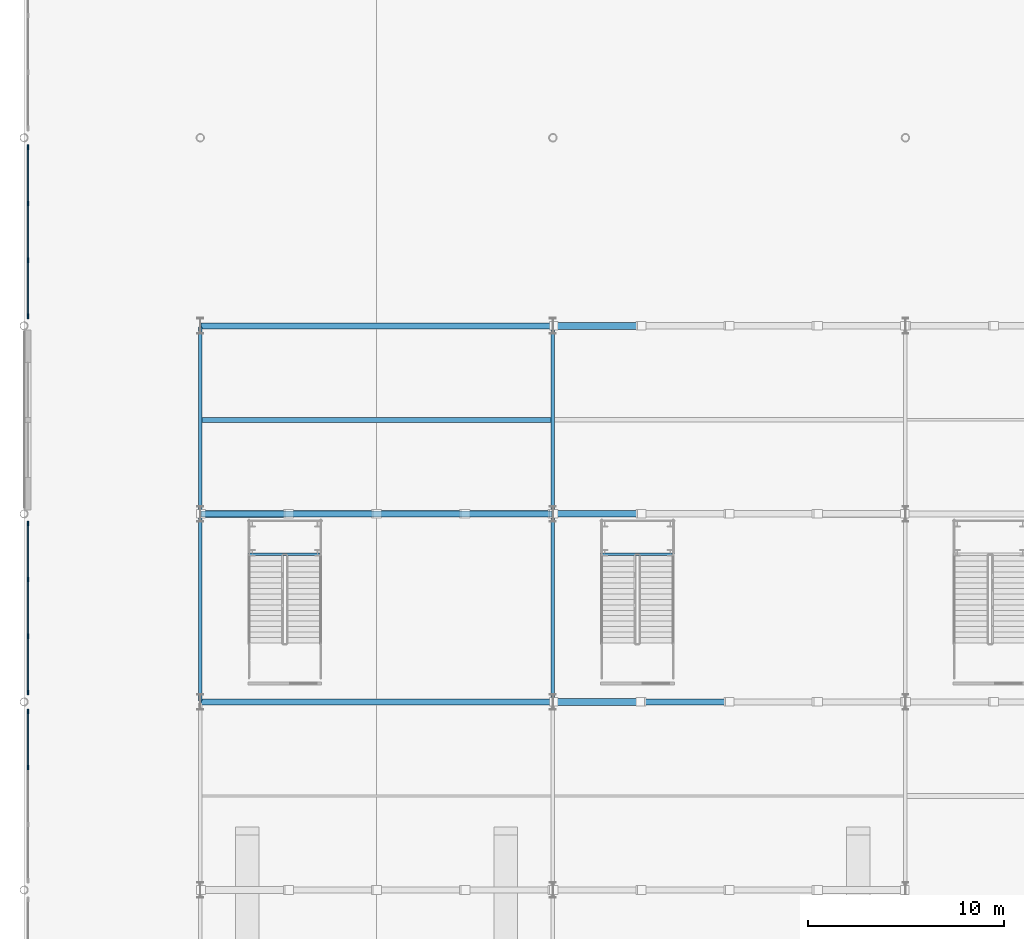
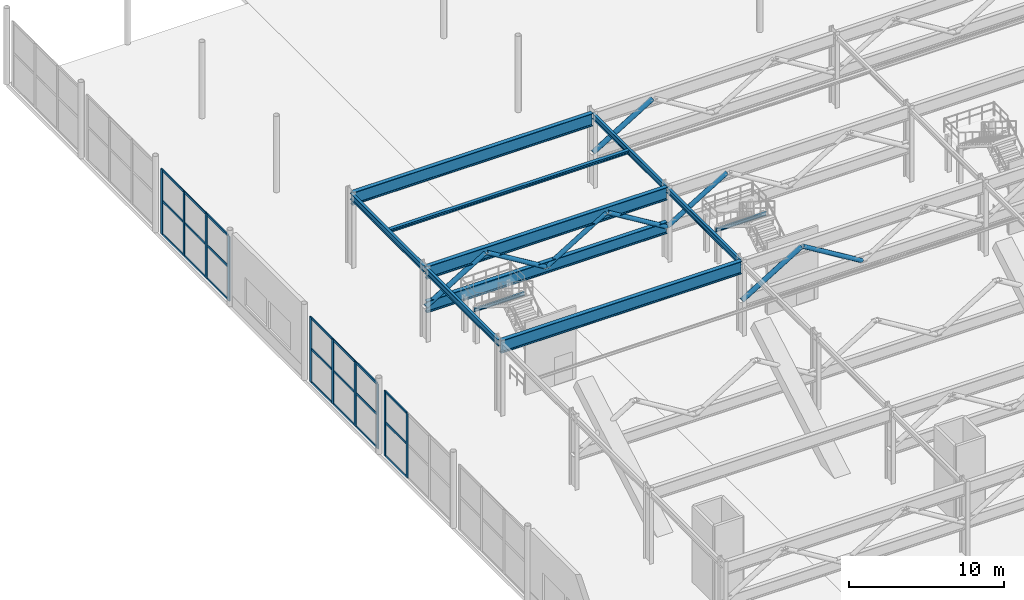
# One storey, part 36 of 113: 40 members, 10 beams, 3 elements without a shape of their own.
"""IFC4 building model written with IfcOpenShell, lengths in metres."""

from ifc_helpers import new_model, si_unit, direction, frame, origin, origin_2d, place, context, subcontext, project, spatial, rectangle, hollow_circle, i_section, extrude, material, layer, layer_set, material_profile, profile_set, type_object, element, aggregate, save


model = new_model("IFC4")

# Units and contexts
model_context = context("Model", 3, precision=1e-05, world=origin(), true_north=direction((0.0, 1.0)))
body_context = subcontext(model_context, "Body", "Model", "MODEL_VIEW")
ifc_project = project(units=[si_unit("LENGTHUNIT", "METRE"), si_unit("AREAUNIT", "SQUARE_METRE"), si_unit("VOLUMEUNIT", "CUBIC_METRE"), si_unit("PLANEANGLEUNIT", "RADIAN"), si_unit("MASSUNIT", "GRAM", prefix="KILO")], contexts=[model_context])

# Site, building, storey
site_placement = place(None, origin())
site = spatial("IfcSite", under=ifc_project, at=site_placement, CompositionType="ELEMENT")
building_placement = place(site_placement, origin())
building = spatial("IfcBuilding", under=site, at=building_placement, Name="Myrtia Square Station", CompositionType="ELEMENT")
storey_placement = place(building_placement, origin())
storey = spatial("IfcBuildingStorey", under=building, at=storey_placement, Name="L00", CompositionType="ELEMENT", Elevation=0.0)

# Beams
ifc_material_1 = material(Name="Steel S355", Category="steel")
ifc_material_profile_1 = material_profile(ifc_material_1, i_section(OverallWidth=0.135009765625, OverallDepth=0.27001953125, WebThickness=0.006591796875, FlangeThickness=0.01025390625, FilletRadius=0.014892578125, at=origin_2d()), Name="IPE 270")
ifc_profile_set_1 = profile_set([ifc_material_profile_1], Name="Steel S355")
beam_type_1 = type_object("IfcBeamType", Name="BM-IPE270", PredefinedType="BEAM", material=ifc_profile_set_1)
for number, where, z_axis, x_axis, name in (
    (1, (11.43994140625, 74.739990234375, 2.6650390625), (1.0, 0.0, 0.0), (0.0, 1.0, 0.0), "Interchange stair landing bearer 1"),
    (2, (29.43994140625, 74.739990234375, 2.6650390625), (1.0, 0.0, 0.0), (0.0, 1.0, 0.0), "Interchange stair landing bearer 2"),
):
    element("IfcBeam", number, at=place(storey_placement, frame(where, z_axis=z_axis, x_axis=x_axis)), inside=storey, type_object=beam_type_1, Name=name, PredefinedType="BEAM", context=body_context, shape_type="SweptSolid", body=[
        extrude(i_section(OverallWidth=0.135009765625, OverallDepth=0.27001953125, WebThickness=0.006591796875, FlangeThickness=0.01025390625, FilletRadius=0.014892578125, at=origin_2d()), origin(), (0.0, 0.0, 1.0), 3.760009765625),
    ])
ifc_material_profile_2 = material_profile(ifc_material_1, i_section(OverallWidth=0.18994140625, OverallDepth=0.449951171875, WebThickness=0.009521484375, FlangeThickness=0.0146484375, FilletRadius=0.02099609375, at=origin_2d()), Name="IPE 450")
ifc_profile_set_2 = profile_set([ifc_material_profile_2], Name="Steel S355")
beam_type_2 = type_object("IfcBeamType", Name="BM-IPE450", PredefinedType="BEAM", material=ifc_profile_set_2)
for number, where, z_axis, x_axis, name in (
    (3, (27.0, 67.25, 5.514892578125), (0.0, 1.0, 0.0), (-1.0, 0.0, 0.0), "Structural girder BMY-L00-0265"),
    (4, (27.0, 76.85009765625, 5.514892578125), (0.0, 1.0, 0.0), (-1.0, 0.0, 0.0), "Structural girder BMY-L00-0266"),
):
    element("IfcBeam", number, at=place(storey_placement, frame(where, z_axis=z_axis, x_axis=x_axis)), inside=storey, type_object=beam_type_2, Name=name, PredefinedType="BEAM", context=body_context, shape_type="SweptSolid", body=[
        extrude(i_section(OverallWidth=0.18994140625, OverallDepth=0.449951171875, WebThickness=0.009521484375, FlangeThickness=0.0146484375, FilletRadius=0.02099609375, at=origin_2d()), origin(), (0.0, 0.0, 1.0), 9.5),
    ])
ifc_material_profile_3 = material_profile(ifc_material_1, i_section(OverallWidth=0.199951171875, OverallDepth=0.5, WebThickness=0.01025390625, FlangeThickness=0.01611328125, FilletRadius=0.02099609375, at=origin_2d()), Name="IPE 500")
ifc_profile_set_3 = profile_set([ifc_material_profile_3], Name="Steel S355")
beam_type_3 = type_object("IfcBeamType", Name="BM-IPE500", PredefinedType="BEAM", material=ifc_profile_set_3)
for number, where, z_axis, x_axis, name in (
    (5, (9.0, 67.25, 5.489990234375), (0.0, 1.0, 0.0), (-1.0, 0.0, 0.0), "Structural girder BMY-L00-0260"),
    (6, (9.0, 76.85009765625, 5.489990234375), (0.0, 1.0, 0.0), (-1.0, 0.0, 0.0), "Structural girder BMY-L00-0261"),
):
    element("IfcBeam", number, at=place(storey_placement, frame(where, z_axis=z_axis, x_axis=x_axis)), inside=storey, type_object=beam_type_3, Name=name, PredefinedType="BEAM", context=body_context, shape_type="SweptSolid", body=[
        extrude(i_section(OverallWidth=0.199951171875, OverallDepth=0.5, WebThickness=0.01025390625, FlangeThickness=0.01611328125, FilletRadius=0.02099609375, at=origin_2d()), origin(), (0.0, 0.0, 1.0), 9.5),
    ])

# Members
ifc_material_profile_4 = material_profile(ifc_material_1, hollow_circle(Radius=0.161865234375, WallThickness=0.01611328125, at=origin_2d()), Name="CHS 323.9x16")
ifc_profile_set_4 = profile_set([ifc_material_profile_4], Name="Steel S355")
member_type_1 = type_object("IfcMemberType", Name="BRC-CHS323", PredefinedType="BRACE", material=ifc_profile_set_4)
for number, where, z_axis, x_axis, name in (
    (7, (31.5400390625, 67.199951171875, 5.239990234375), (0.854236821944, 0.0, -0.519884075573), (0.0, 1.0, 0.0), "Over-track transfer truss 04 diagonal 2"),
    (8, (13.5400390625, 76.800048828125, 5.239990234375), (0.854236821944, 0.0, -0.519884075573), (0.0, 1.0, 0.0), "Over-track transfer truss 05 diagonal 2"),
    (9, (18.0400390625, 76.800048828125, 2.550048828125), (0.854236821944, 0.0, 0.519884075573), (0.0, 1.0, 0.0), "Over-track transfer truss 05 diagonal 3"),
    (10, (22.5400390625, 76.800048828125, 5.239990234375), (0.854236821944, 0.0, -0.519884075573), (0.0, 1.0, 0.0), "Over-track transfer truss 05 diagonal 4"),
    (11, (27.0400390625, 76.800048828125, 2.550048828125), (0.854236821944, 0.0, 0.519884075573), (0.0, 1.0, 0.0), "Over-track transfer truss 05 diagonal 5"),
):
    element("IfcMember", number, at=place(storey_placement, frame(where, z_axis=z_axis, x_axis=x_axis)), inside=storey, type_object=member_type_1, Name=name, PredefinedType="BRACE", context=body_context, shape_type="SweptSolid", body=[
        extrude(hollow_circle(Radius=0.161865234375, WallThickness=0.01611328125, at=origin_2d()), origin(), (0.0, 0.0, 1.0), 5.174072265625),
    ])
ifc_material_profile_5 = material_profile(ifc_material_1, hollow_circle(Radius=0.177734375, WallThickness=0.02001953125, at=origin_2d()), Name="CHS 355.6x20")
ifc_profile_set_5 = profile_set([ifc_material_profile_5], Name="Steel S355")
member_type_2 = type_object("IfcMemberType", Name="BRC-CHS355", PredefinedType="BRACE", material=ifc_profile_set_5)
for number, where, z_axis, x_axis, name in (
    (12, (27.0400390625, 67.199951171875, 2.550048828125), (0.854236821944, 0.0, 0.519884075573), (0.0, 1.0, 0.0), "Over-track transfer truss 04 diagonal 1"),
    (13, (9.0400390625, 76.800048828125, 2.550048828125), (0.854236821944, 0.0, 0.519884075573), (0.0, 1.0, 0.0), "Over-track transfer truss 05 diagonal 1"),
    (14, (27.0400390625, 86.39990234375, 2.550048828125), (0.854236821944, 0.0, 0.519884075573), (0.0, 1.0, 0.0), "Over-track transfer truss 06 diagonal 1"),
):
    element("IfcMember", number, at=place(storey_placement, frame(where, z_axis=z_axis, x_axis=x_axis)), inside=storey, type_object=member_type_2, Name=name, PredefinedType="BRACE", context=body_context, shape_type="SweptSolid", body=[
        extrude(hollow_circle(Radius=0.177734375, WallThickness=0.02001953125, at=origin_2d()), origin(), (0.0, 0.0, 1.0), 5.174072265625),
    ])
ifc_material_profile_6 = material_profile(ifc_material_1, i_section(OverallWidth=0.300048828125, OverallDepth=0.89990234375, WebThickness=0.0185546875, FlangeThickness=0.034912109375, FilletRadius=0.030029296875, at=origin_2d()), Name="HEB 900")
ifc_profile_set_6 = profile_set([ifc_material_profile_6], Name="Steel S355")
member_type_3 = type_object("IfcMemberType", Name="CHD-HEB900", PredefinedType="CHORD", material=ifc_profile_set_6)
member_1_placement = place(storey_placement, frame((9.050048828125, 76.800048828125, 2.550048828125), z_axis=(1.0, 0.0, 0.0), x_axis=(0.0, 1.0, 0.0)))
element("IfcMember", 15, at=member_1_placement, inside=storey, type_object=member_type_3, Name="Over-track transfer truss 05 bottom chord 1", PredefinedType="CHORD", context=body_context, shape_type="SweptSolid", body=[
    extrude(i_section(OverallWidth=0.300048828125, OverallDepth=0.89990234375, WebThickness=0.0185546875, FlangeThickness=0.034912109375, FilletRadius=0.030029296875, at=origin_2d()), origin(), (0.0, 0.0, 1.0), 17.89990234375),
])

# Curtain wall, members
ifc_material_2 = material(Name="Dark bronze anodised aluminium", Category="aluminium")
ifc_layer = layer(ifc_material_2, 0.159912109375, Name="Dark bronze anodised aluminium")
ifc_layer_set = layer_set([ifc_layer], Name="Dark bronze anodised aluminium")
curtain_wall_type = type_object("IfcCurtainWallType", Name="CW-TYPE-22-870x510", PredefinedType="USERDEFINED", material=ifc_layer_set)
curtain_wall_1_placement = place(storey_placement, origin())
curtain_wall_1 = element("IfcCurtainWall", 16, at=curtain_wall_1_placement, inside=storey, type_object=curtain_wall_type, Name="Concourse curtain wall CW-L00-077", ObjectType="CONCOURSE CURTAIN WALL", PredefinedType="USERDEFINED")
ifc_material_profile_7 = material_profile(ifc_material_2, rectangle(XDim=0.074951171875, YDim=0.239990234375, at=origin_2d()), Name="ALU-M 75x240")
ifc_profile_set_7 = profile_set([ifc_material_profile_7], Name="Dark bronze anodised aluminium")
member_type_4 = type_object("IfcMemberType", Name="CWM-75x240", PredefinedType="MULLION", material=ifc_profile_set_7)
member_2_placement = place(storey_placement, frame((0.199951171875, 63.85009765625, 0.0), z_axis=(0.0, 0.0, 1.0), x_axis=(-1.0, 0.0, 0.0)))
member_2 = element("IfcMember", 17, at=member_2_placement, type_object=member_type_4, Name="CW-077 mullion 3", PredefinedType="MULLION", context=body_context, shape_type="SweptSolid", body=[
    extrude(rectangle(XDim=0.074951171875, YDim=0.239990234375, at=origin_2d()), origin(), (0.0, 0.0, 1.0), 5.10009765625),
])
member_3_placement = place(storey_placement, frame((0.199951171875, 66.71240234375, 0.0), z_axis=(0.0, 0.0, 1.0), x_axis=(-1.0, 0.0, 0.0)))
member_3 = element("IfcMember", 18, at=member_3_placement, type_object=member_type_4, Name="CW-077 mullion 4", PredefinedType="MULLION", context=body_context, shape_type="SweptSolid", body=[
    extrude(rectangle(XDim=0.074951171875, YDim=0.239990234375, at=origin_2d()), origin(), (0.0, 0.0, 1.0), 5.10009765625),
])

curtain_wall_2_placement = place(storey_placement, origin())
curtain_wall_2 = element("IfcCurtainWall", 19, at=curtain_wall_2_placement, inside=storey, type_object=curtain_wall_type, Name="Concourse curtain wall CW-L00-078", ObjectType="CONCOURSE CURTAIN WALL", PredefinedType="USERDEFINED")
member_4_placement = place(storey_placement, frame((0.199951171875, 67.6875, 0.0), z_axis=(0.0, 0.0, 1.0), x_axis=(-1.0, 0.0, 0.0)))
member_4 = element("IfcMember", 20, at=member_4_placement, type_object=member_type_4, Name="CW-078 mullion 1", PredefinedType="MULLION", context=body_context, shape_type="SweptSolid", body=[
    extrude(rectangle(XDim=0.074951171875, YDim=0.239990234375, at=origin_2d()), origin(), (0.0, 0.0, 1.0), 5.10009765625),
])
member_5_placement = place(storey_placement, frame((0.199951171875, 70.550048828125, 0.0), z_axis=(0.0, 0.0, 1.0), x_axis=(-1.0, 0.0, 0.0)))
member_5 = element("IfcMember", 21, at=member_5_placement, type_object=member_type_4, Name="CW-078 mullion 2", PredefinedType="MULLION", context=body_context, shape_type="SweptSolid", body=[
    extrude(rectangle(XDim=0.074951171875, YDim=0.239990234375, at=origin_2d()), origin(), (0.0, 0.0, 1.0), 5.10009765625),
])
member_6_placement = place(storey_placement, frame((0.199951171875, 73.449951171875, 0.0), z_axis=(0.0, 0.0, 1.0), x_axis=(-1.0, 0.0, 0.0)))
member_6 = element("IfcMember", 22, at=member_6_placement, type_object=member_type_4, Name="CW-078 mullion 3", PredefinedType="MULLION", context=body_context, shape_type="SweptSolid", body=[
    extrude(rectangle(XDim=0.074951171875, YDim=0.239990234375, at=origin_2d()), origin(), (0.0, 0.0, 1.0), 5.10009765625),
])
member_7_placement = place(storey_placement, frame((0.199951171875, 76.3125, 0.0), z_axis=(0.0, 0.0, 1.0), x_axis=(-1.0, 0.0, 0.0)))
member_7 = element("IfcMember", 23, at=member_7_placement, type_object=member_type_4, Name="CW-078 mullion 4", PredefinedType="MULLION", context=body_context, shape_type="SweptSolid", body=[
    extrude(rectangle(XDim=0.074951171875, YDim=0.239990234375, at=origin_2d()), origin(), (0.0, 0.0, 1.0), 5.10009765625),
])

curtain_wall_3_placement = place(storey_placement, origin())
curtain_wall_3 = element("IfcCurtainWall", 24, at=curtain_wall_3_placement, inside=storey, type_object=curtain_wall_type, Name="Concourse curtain wall CW-L00-079", ObjectType="CONCOURSE CURTAIN WALL", PredefinedType="USERDEFINED")
member_8_placement = place(storey_placement, frame((0.199951171875, 86.887451171875, 0.0), z_axis=(0.0, 0.0, 1.0), x_axis=(-1.0, 0.0, 0.0)))
member_8 = element("IfcMember", 25, at=member_8_placement, type_object=member_type_4, Name="CW-079 mullion 1", PredefinedType="MULLION", context=body_context, shape_type="SweptSolid", body=[
    extrude(rectangle(XDim=0.074951171875, YDim=0.239990234375, at=origin_2d()), origin(), (0.0, 0.0, 1.0), 5.10009765625),
])
member_9_placement = place(storey_placement, frame((0.199951171875, 89.75, 0.0), z_axis=(0.0, 0.0, 1.0), x_axis=(-1.0, 0.0, 0.0)))
member_9 = element("IfcMember", 26, at=member_9_placement, type_object=member_type_4, Name="CW-079 mullion 2", PredefinedType="MULLION", context=body_context, shape_type="SweptSolid", body=[
    extrude(rectangle(XDim=0.074951171875, YDim=0.239990234375, at=origin_2d()), origin(), (0.0, 0.0, 1.0), 5.10009765625),
])
member_10_placement = place(storey_placement, frame((0.199951171875, 92.64990234375, 0.0), z_axis=(0.0, 0.0, 1.0), x_axis=(-1.0, 0.0, 0.0)))
member_10 = element("IfcMember", 27, at=member_10_placement, type_object=member_type_4, Name="CW-079 mullion 3", PredefinedType="MULLION", context=body_context, shape_type="SweptSolid", body=[
    extrude(rectangle(XDim=0.074951171875, YDim=0.239990234375, at=origin_2d()), origin(), (0.0, 0.0, 1.0), 5.10009765625),
])
member_11_placement = place(storey_placement, frame((0.199951171875, 95.512451171875, 0.0), z_axis=(0.0, 0.0, 1.0), x_axis=(-1.0, 0.0, 0.0)))
member_11 = element("IfcMember", 28, at=member_11_placement, type_object=member_type_4, Name="CW-079 mullion 4", PredefinedType="MULLION", context=body_context, shape_type="SweptSolid", body=[
    extrude(rectangle(XDim=0.074951171875, YDim=0.239990234375, at=origin_2d()), origin(), (0.0, 0.0, 1.0), 5.10009765625),
])

# Member
ifc_material_profile_8 = material_profile(ifc_material_2, rectangle(XDim=0.074951171875, YDim=0.179931640625, at=origin_2d()), Name="ALU-T 75x180")
ifc_profile_set_8 = profile_set([ifc_material_profile_8], Name="Dark bronze anodised aluminium")
member_type_5 = type_object("IfcMemberType", Name="CWT-75x180", PredefinedType="USERDEFINED", material=ifc_profile_set_8)
member_12_placement = place(storey_placement, frame((0.199951171875, 63.887451171875, 0.03759765625), z_axis=(0.0, 1.0, 0.0), x_axis=(-1.0, 0.0, 0.0)))
member_12 = element("IfcMember", 29, at=member_12_placement, type_object=member_type_5, Name="CW-077 transom 3.1", ObjectType="TRANSOM", PredefinedType="USERDEFINED", context=body_context, shape_type="SweptSolid", body=[
    extrude(rectangle(XDim=0.074951171875, YDim=0.179931640625, at=origin_2d()), origin(), (0.0, 0.0, 1.0), 2.78759765625),
])

member_13_placement = place(storey_placement, frame((0.199951171875, 63.887451171875, 2.652099609375), z_axis=(0.0, 1.0, 0.0), x_axis=(-1.0, 0.0, 0.0)))
member_13 = element("IfcMember", 30, at=member_13_placement, type_object=member_type_5, Name="CW-077 transom 3.2", ObjectType="TRANSOM", PredefinedType="USERDEFINED", context=body_context, shape_type="SweptSolid", body=[
    extrude(rectangle(XDim=0.074951171875, YDim=0.179931640625, at=origin_2d()), origin(), (0.0, 0.0, 1.0), 2.78759765625),
])

member_14_placement = place(storey_placement, frame((0.199951171875, 63.887451171875, 5.0625), z_axis=(0.0, 1.0, 0.0), x_axis=(-1.0, 0.0, 0.0)))
member_14 = element("IfcMember", 31, at=member_14_placement, type_object=member_type_5, Name="CW-077 transom 3.3", ObjectType="TRANSOM", PredefinedType="USERDEFINED", context=body_context, shape_type="SweptSolid", body=[
    extrude(rectangle(XDim=0.074951171875, YDim=0.179931640625, at=origin_2d()), origin(), (0.0, 0.0, 1.0), 2.78759765625),
])

aggregate(curtain_wall_1, [member_2, member_3, member_12, member_13, member_14])

member_15_placement = place(storey_placement, frame((0.199951171875, 67.72509765625, 0.03759765625), z_axis=(0.0, 1.0, 0.0), x_axis=(-1.0, 0.0, 0.0)))
member_15 = element("IfcMember", 32, at=member_15_placement, type_object=member_type_5, Name="CW-078 transom 1.1", ObjectType="TRANSOM", PredefinedType="USERDEFINED", context=body_context, shape_type="SweptSolid", body=[
    extrude(rectangle(XDim=0.074951171875, YDim=0.179931640625, at=origin_2d()), origin(), (0.0, 0.0, 1.0), 2.787353515625),
])

member_16_placement = place(storey_placement, frame((0.199951171875, 67.72509765625, 2.652099609375), z_axis=(0.0, 1.0, 0.0), x_axis=(-1.0, 0.0, 0.0)))
member_16 = element("IfcMember", 33, at=member_16_placement, type_object=member_type_5, Name="CW-078 transom 1.2", ObjectType="TRANSOM", PredefinedType="USERDEFINED", context=body_context, shape_type="SweptSolid", body=[
    extrude(rectangle(XDim=0.074951171875, YDim=0.179931640625, at=origin_2d()), origin(), (0.0, 0.0, 1.0), 2.787353515625),
])

member_17_placement = place(storey_placement, frame((0.199951171875, 67.72509765625, 5.0625), z_axis=(0.0, 1.0, 0.0), x_axis=(-1.0, 0.0, 0.0)))
member_17 = element("IfcMember", 34, at=member_17_placement, type_object=member_type_5, Name="CW-078 transom 1.3", ObjectType="TRANSOM", PredefinedType="USERDEFINED", context=body_context, shape_type="SweptSolid", body=[
    extrude(rectangle(XDim=0.074951171875, YDim=0.179931640625, at=origin_2d()), origin(), (0.0, 0.0, 1.0), 2.787353515625),
])

member_18_placement = place(storey_placement, frame((0.199951171875, 70.58740234375, 0.03759765625), z_axis=(0.0, 1.0, 0.0), x_axis=(-1.0, 0.0, 0.0)))
member_18 = element("IfcMember", 35, at=member_18_placement, type_object=member_type_5, Name="CW-078 transom 2.1", ObjectType="TRANSOM", PredefinedType="USERDEFINED", context=body_context, shape_type="SweptSolid", body=[
    extrude(rectangle(XDim=0.074951171875, YDim=0.179931640625, at=origin_2d()), origin(), (0.0, 0.0, 1.0), 2.8251953125),
])

member_19_placement = place(storey_placement, frame((0.199951171875, 70.58740234375, 2.652099609375), z_axis=(0.0, 1.0, 0.0), x_axis=(-1.0, 0.0, 0.0)))
member_19 = element("IfcMember", 36, at=member_19_placement, type_object=member_type_5, Name="CW-078 transom 2.2", ObjectType="TRANSOM", PredefinedType="USERDEFINED", context=body_context, shape_type="SweptSolid", body=[
    extrude(rectangle(XDim=0.074951171875, YDim=0.179931640625, at=origin_2d()), origin(), (0.0, 0.0, 1.0), 2.8251953125),
])

member_20_placement = place(storey_placement, frame((0.199951171875, 70.58740234375, 5.0625), z_axis=(0.0, 1.0, 0.0), x_axis=(-1.0, 0.0, 0.0)))
member_20 = element("IfcMember", 37, at=member_20_placement, type_object=member_type_5, Name="CW-078 transom 2.3", ObjectType="TRANSOM", PredefinedType="USERDEFINED", context=body_context, shape_type="SweptSolid", body=[
    extrude(rectangle(XDim=0.074951171875, YDim=0.179931640625, at=origin_2d()), origin(), (0.0, 0.0, 1.0), 2.8251953125),
])

member_21_placement = place(storey_placement, frame((0.199951171875, 73.487548828125, 0.03759765625), z_axis=(0.0, 1.0, 0.0), x_axis=(-1.0, 0.0, 0.0)))
member_21 = element("IfcMember", 38, at=member_21_placement, type_object=member_type_5, Name="CW-078 transom 3.1", ObjectType="TRANSOM", PredefinedType="USERDEFINED", context=body_context, shape_type="SweptSolid", body=[
    extrude(rectangle(XDim=0.074951171875, YDim=0.179931640625, at=origin_2d()), origin(), (0.0, 0.0, 1.0), 2.787353515625),
])

member_22_placement = place(storey_placement, frame((0.199951171875, 73.487548828125, 2.652099609375), z_axis=(0.0, 1.0, 0.0), x_axis=(-1.0, 0.0, 0.0)))
member_22 = element("IfcMember", 39, at=member_22_placement, type_object=member_type_5, Name="CW-078 transom 3.2", ObjectType="TRANSOM", PredefinedType="USERDEFINED", context=body_context, shape_type="SweptSolid", body=[
    extrude(rectangle(XDim=0.074951171875, YDim=0.179931640625, at=origin_2d()), origin(), (0.0, 0.0, 1.0), 2.787353515625),
])

member_23_placement = place(storey_placement, frame((0.199951171875, 73.487548828125, 5.0625), z_axis=(0.0, 1.0, 0.0), x_axis=(-1.0, 0.0, 0.0)))
member_23 = element("IfcMember", 40, at=member_23_placement, type_object=member_type_5, Name="CW-078 transom 3.3", ObjectType="TRANSOM", PredefinedType="USERDEFINED", context=body_context, shape_type="SweptSolid", body=[
    extrude(rectangle(XDim=0.074951171875, YDim=0.179931640625, at=origin_2d()), origin(), (0.0, 0.0, 1.0), 2.787353515625),
])

aggregate(curtain_wall_2, [member_4, member_5, member_6, member_7, member_15, member_16, member_17, member_18, member_19, member_20, member_21, member_22, member_23])

member_24_placement = place(storey_placement, frame((0.199951171875, 86.925048828125, 0.03759765625), z_axis=(0.0, 1.0, 0.0), x_axis=(-1.0, 0.0, 0.0)))
member_24 = element("IfcMember", 41, at=member_24_placement, type_object=member_type_5, Name="CW-079 transom 1.1", ObjectType="TRANSOM", PredefinedType="USERDEFINED", context=body_context, shape_type="SweptSolid", body=[
    extrude(rectangle(XDim=0.074951171875, YDim=0.179931640625, at=origin_2d()), origin(), (0.0, 0.0, 1.0), 2.787353515625),
])

member_25_placement = place(storey_placement, frame((0.199951171875, 86.925048828125, 2.652099609375), z_axis=(0.0, 1.0, 0.0), x_axis=(-1.0, 0.0, 0.0)))
member_25 = element("IfcMember", 42, at=member_25_placement, type_object=member_type_5, Name="CW-079 transom 1.2", ObjectType="TRANSOM", PredefinedType="USERDEFINED", context=body_context, shape_type="SweptSolid", body=[
    extrude(rectangle(XDim=0.074951171875, YDim=0.179931640625, at=origin_2d()), origin(), (0.0, 0.0, 1.0), 2.787353515625),
])

member_26_placement = place(storey_placement, frame((0.199951171875, 86.925048828125, 5.0625), z_axis=(0.0, 1.0, 0.0), x_axis=(-1.0, 0.0, 0.0)))
member_26 = element("IfcMember", 43, at=member_26_placement, type_object=member_type_5, Name="CW-079 transom 1.3", ObjectType="TRANSOM", PredefinedType="USERDEFINED", context=body_context, shape_type="SweptSolid", body=[
    extrude(rectangle(XDim=0.074951171875, YDim=0.179931640625, at=origin_2d()), origin(), (0.0, 0.0, 1.0), 2.787353515625),
])

member_27_placement = place(storey_placement, frame((0.199951171875, 89.78759765625, 0.03759765625), z_axis=(0.0, 1.0, 0.0), x_axis=(-1.0, 0.0, 0.0)))
member_27 = element("IfcMember", 44, at=member_27_placement, type_object=member_type_5, Name="CW-079 transom 2.1", ObjectType="TRANSOM", PredefinedType="USERDEFINED", context=body_context, shape_type="SweptSolid", body=[
    extrude(rectangle(XDim=0.074951171875, YDim=0.179931640625, at=origin_2d()), origin(), (0.0, 0.0, 1.0), 2.824951171875),
])

member_28_placement = place(storey_placement, frame((0.199951171875, 89.78759765625, 2.652099609375), z_axis=(0.0, 1.0, 0.0), x_axis=(-1.0, 0.0, 0.0)))
member_28 = element("IfcMember", 45, at=member_28_placement, type_object=member_type_5, Name="CW-079 transom 2.2", ObjectType="TRANSOM", PredefinedType="USERDEFINED", context=body_context, shape_type="SweptSolid", body=[
    extrude(rectangle(XDim=0.074951171875, YDim=0.179931640625, at=origin_2d()), origin(), (0.0, 0.0, 1.0), 2.824951171875),
])

member_29_placement = place(storey_placement, frame((0.199951171875, 89.78759765625, 5.0625), z_axis=(0.0, 1.0, 0.0), x_axis=(-1.0, 0.0, 0.0)))
member_29 = element("IfcMember", 46, at=member_29_placement, type_object=member_type_5, Name="CW-079 transom 2.3", ObjectType="TRANSOM", PredefinedType="USERDEFINED", context=body_context, shape_type="SweptSolid", body=[
    extrude(rectangle(XDim=0.074951171875, YDim=0.179931640625, at=origin_2d()), origin(), (0.0, 0.0, 1.0), 2.824951171875),
])

member_30_placement = place(storey_placement, frame((0.199951171875, 92.6875, 0.03759765625), z_axis=(0.0, 1.0, 0.0), x_axis=(-1.0, 0.0, 0.0)))
member_30 = element("IfcMember", 47, at=member_30_placement, type_object=member_type_5, Name="CW-079 transom 3.1", ObjectType="TRANSOM", PredefinedType="USERDEFINED", context=body_context, shape_type="SweptSolid", body=[
    extrude(rectangle(XDim=0.074951171875, YDim=0.179931640625, at=origin_2d()), origin(), (0.0, 0.0, 1.0), 2.78759765625),
])

member_31_placement = place(storey_placement, frame((0.199951171875, 92.6875, 2.652099609375), z_axis=(0.0, 1.0, 0.0), x_axis=(-1.0, 0.0, 0.0)))
member_31 = element("IfcMember", 48, at=member_31_placement, type_object=member_type_5, Name="CW-079 transom 3.2", ObjectType="TRANSOM", PredefinedType="USERDEFINED", context=body_context, shape_type="SweptSolid", body=[
    extrude(rectangle(XDim=0.074951171875, YDim=0.179931640625, at=origin_2d()), origin(), (0.0, 0.0, 1.0), 2.78759765625),
])

member_32_placement = place(storey_placement, frame((0.199951171875, 92.6875, 5.0625), z_axis=(0.0, 1.0, 0.0), x_axis=(-1.0, 0.0, 0.0)))
member_32 = element("IfcMember", 49, at=member_32_placement, type_object=member_type_5, Name="CW-079 transom 3.3", ObjectType="TRANSOM", PredefinedType="USERDEFINED", context=body_context, shape_type="SweptSolid", body=[
    extrude(rectangle(XDim=0.074951171875, YDim=0.179931640625, at=origin_2d()), origin(), (0.0, 0.0, 1.0), 2.78759765625),
])

aggregate(curtain_wall_3, [member_8, member_9, member_10, member_11, member_24, member_25, member_26, member_27, member_28, member_29, member_30, member_31, member_32])

# Beams
ifc_material_profile_9 = material_profile(ifc_material_1, i_section(OverallWidth=0.260009765625, OverallDepth=0.25, WebThickness=0.007568359375, FlangeThickness=0.012451171875, FilletRadius=0.02392578125, at=origin_2d()), Name="HEA 260")
ifc_profile_set_9 = profile_set([ifc_material_profile_9], Name="Steel S355")
beam_type_4 = type_object("IfcBeamType", Name="JST-HEA260", PredefinedType="JOIST", material=ifc_profile_set_9)
beam_placement = place(storey_placement, frame((9.10009765625, 81.60009765625, 5.614990234375), z_axis=(1.0, 0.0, 0.0), x_axis=(0.0, 1.0, 0.0)))
element("IfcBeam", 50, at=beam_placement, inside=storey, type_object=beam_type_4, Name="Composite floor joist L00-0002", PredefinedType="JOIST", context=body_context, shape_type="SweptSolid", body=[
    extrude(i_section(OverallWidth=0.260009765625, OverallDepth=0.25, WebThickness=0.007568359375, FlangeThickness=0.012451171875, FilletRadius=0.02392578125, at=origin_2d()), origin(), (0.0, 0.0, 1.0), 17.804931640625),
])
ifc_material_profile_10 = material_profile(ifc_material_1, i_section(OverallWidth=0.300048828125, OverallDepth=1.0, WebThickness=0.01904296875, FlangeThickness=0.035888671875, FilletRadius=0.030029296875, at=origin_2d()), Name="HEB 1000")
ifc_profile_set_10 = profile_set([ifc_material_profile_10], Name="Steel S355")
beam_type_5 = type_object("IfcBeamType", Name="TG-HEB1000", PredefinedType="USERDEFINED", material=ifc_profile_set_10)
for number, where, z_axis, x_axis, name in (
    (51, (9.050048828125, 67.199951171875, 5.239990234375), (1.0, 0.0, 0.0), (0.0, 1.0, 0.0), "Structural girder TG-L00-0071"),
    (52, (9.050048828125, 76.800048828125, 5.239990234375), (1.0, 0.0, 0.0), (0.0, 1.0, 0.0), "Structural girder TG-L00-0074"),
    (53, (9.050048828125, 86.39990234375, 5.239990234375), (1.0, 0.0, 0.0), (0.0, 1.0, 0.0), "Structural girder TG-L00-0077"),
):
    element("IfcBeam", number, at=place(storey_placement, frame(where, z_axis=z_axis, x_axis=x_axis)), inside=storey, type_object=beam_type_5, Name=name, ObjectType="TRANSFER GIRDER", PredefinedType="USERDEFINED", context=body_context, shape_type="SweptSolid", body=[
        extrude(i_section(OverallWidth=0.300048828125, OverallDepth=1.0, WebThickness=0.01904296875, FlangeThickness=0.035888671875, FilletRadius=0.030029296875, at=origin_2d()), origin(), (0.0, 0.0, 1.0), 17.89990234375),
    ])

save(model, "model.ifc")
